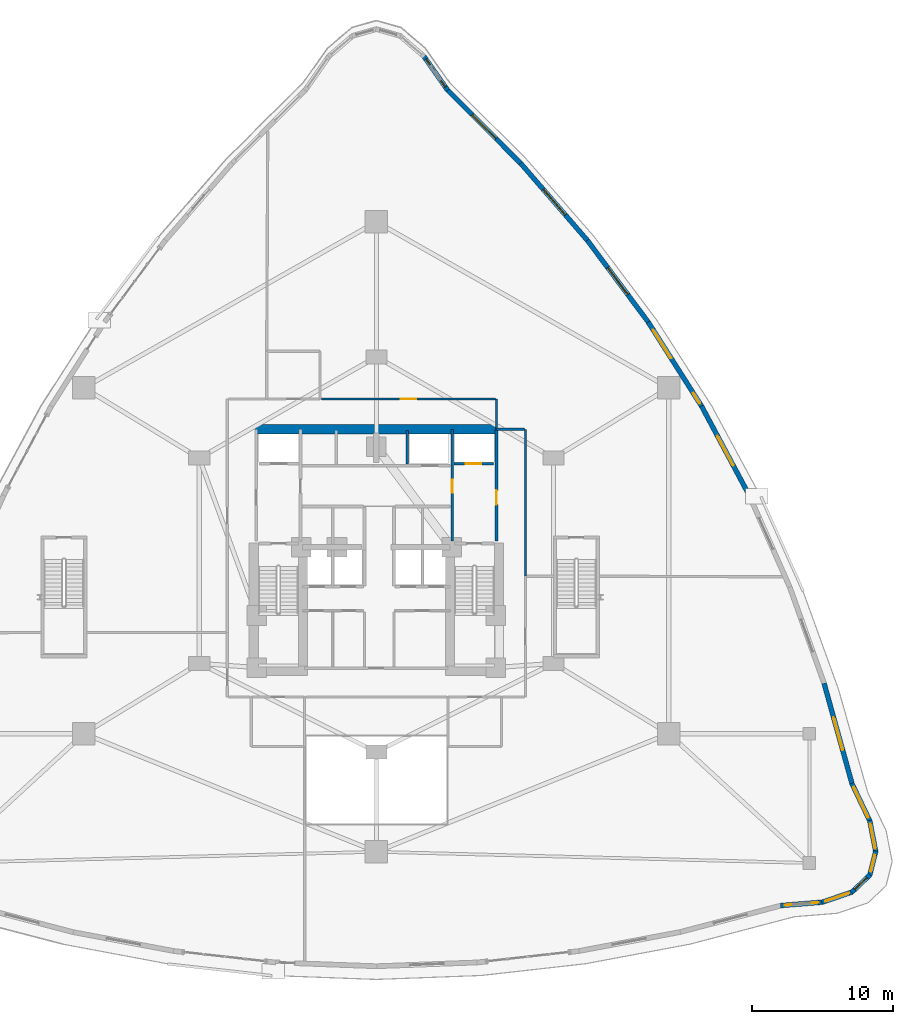
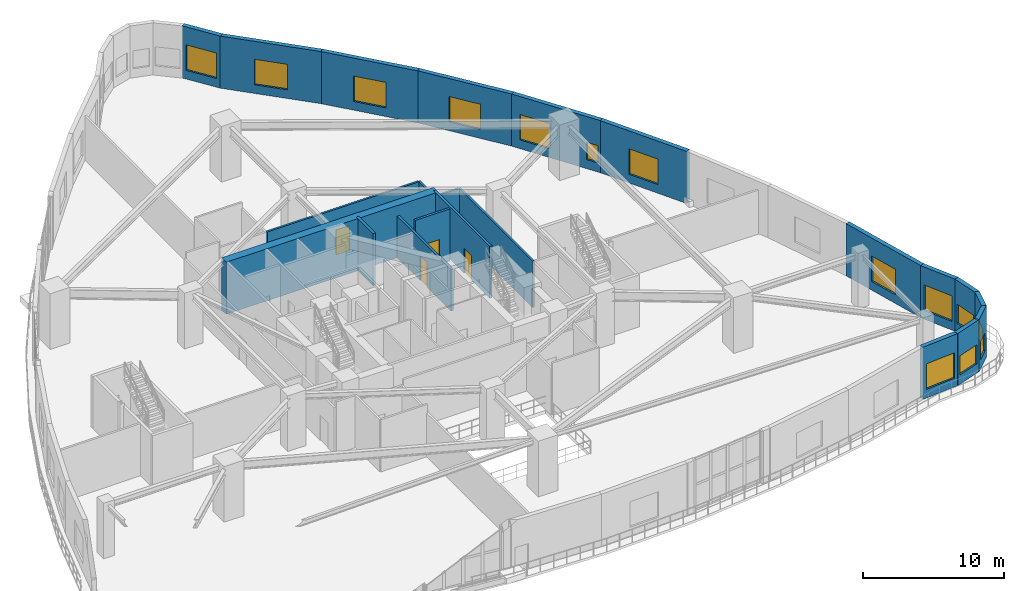
# One storey, part 18 of 25: 22 walls, 14 windows, 4 doors, 18 openings.
"""IFC4 building model written with IfcOpenShell, lengths in metres."""

from ifc_helpers import new_model, si_unit, direction, frame, frame_2d, origin, place, context, subcontext, project, spatial, rectangle, extrude, material, layer, layer_set, type_object, element, fill, save


model = new_model("IFC4")

# Units and contexts
model_context = context("Model", 3, precision=1e-05, world=origin(), true_north=direction((0.0, 1.0)))
body_context = subcontext(model_context, "Body", "Model", "MODEL_VIEW")
ifc_project = project(units=[si_unit("LENGTHUNIT", "METRE"), si_unit("AREAUNIT", "SQUARE_METRE"), si_unit("VOLUMEUNIT", "CUBIC_METRE"), si_unit("PLANEANGLEUNIT", "RADIAN"), si_unit("MASSUNIT", "GRAM", prefix="KILO")], contexts=[model_context])

# Site, building, storey
site_placement = place(None, origin())
site = spatial("IfcSite", under=ifc_project, at=site_placement, CompositionType="ELEMENT")
building_placement = place(site_placement, origin())
building = spatial("IfcBuilding", under=site, at=building_placement, Name="Miruveldt Soraemaru", CompositionType="ELEMENT")
storey_placement = place(building_placement, frame((0.0, 0.0, 4.800048828125)))
storey = spatial("IfcBuildingStorey", under=building, at=storey_placement, Name="L02", CompositionType="ELEMENT", Elevation=4.800048828125)

# Wall
ifc_material_1 = material(Name="Concrete C80/95 (80 MPa)", Category="concrete")
ifc_layer_1 = layer(ifc_material_1, 0.64990234375, Name="Concrete C80/95 (80 MPa)", Category="concrete")
ifc_layer_set_1 = layer_set([ifc_layer_1], Name="Concrete C80/95 (80 MPa)")
wall_type_1 = type_object("IfcWallType", Name="WALL-CW-650", PredefinedType="SHEAR", material=ifc_layer_set_1)
wall_1_placement = place(storey_placement, frame((35.35009765625, 52.449951171875, 0.0), z_axis=(0.0, 0.0, 1.0), x_axis=(1.0, 0.0, 0.0)))
element("IfcWall", 1, at=wall_1_placement, inside=storey, type_object=wall_type_1, Name="L02 Central Core Shear Wall N", PredefinedType="SHEAR", context=body_context, shape_type="SweptSolid", body=[
    extrude(rectangle(XDim=17.2998046875, YDim=0.64990234375, at=frame_2d((8.64990234375, 0.0))), origin(), (0.0, 0.0, 1.0), 4.5),
])

# Wall, opening, window
ifc_material_2 = material(Name="Precast concrete C45/55 (45 MPa)", Category="concrete")
ifc_layer_2 = layer(ifc_material_2, 0.340087890625, Name="Precast concrete C45/55 (45 MPa)", Category="concrete")
ifc_layer_set_2 = layer_set([ifc_layer_2], Name="Precast concrete C45/55 (45 MPa)")
wall_type_2 = type_object("IfcWallType", Name="WALL-EXT-PC340", PredefinedType="SOLIDWALL", material=ifc_layer_set_2)
wall_2_placement = place(storey_placement, frame((49.0751953125, 76.554443359375, 0.0), z_axis=(0.0, 0.0, 1.0), x_axis=(-0.573413332859, 0.819266226387, 0.0)))
wall_2 = element("IfcWall", 2, at=wall_2_placement, inside=storey, type_object=wall_type_2, Name="L02 Precast Concrete Facade Wall 1", PredefinedType="SOLIDWALL", context=body_context, shape_type="SweptSolid", body=[
    extrude(rectangle(XDim=3.0087890625, YDim=0.340087890625, at=frame_2d((1.50439453125, 0.0))), origin(), (0.0, 0.0, 1.0), 4.5),
])
opening_1_placement = place(wall_2_placement, frame((0.304931640625, 0.0, 0.75)))
opening_1 = element("IfcOpeningElement", 3, at=opening_1_placement, cuts=wall_2, Name="Opening WN-5", PredefinedType="OPENING", context=body_context, shape_type="SweptSolid", body=[
    extrude(rectangle(XDim=2.39990234375, YDim=2.199951171875, at=frame_2d((1.199951171875, 1.10009765625))), frame((0.0, 0.18017578125, 0.0), z_axis=(0.0, -1.0, 0.0), x_axis=(1.0, 0.0, 0.0)), (0.0, 0.0, 1.0), 0.360107421875),
])
ifc_material_3 = material(Name="Triple low-e insulated glazing", Category="glass")
window_type_1 = type_object("IfcWindowType", Name="WIN-PODM-2400x2200", PartitioningType="SINGLE_PANEL", PredefinedType="WINDOW", material=ifc_material_3)
window_1_placement = place(opening_1_placement, origin())
window_1 = element("IfcWindow", 4, at=window_1_placement, inside=storey, type_object=window_type_1, Name="L02 Punched Triple-Glazed Window 01.1", OverallHeight=2.199951171875, OverallWidth=2.39990234375, PartitioningType="SINGLE_PANEL", PredefinedType="WINDOW", context=body_context, shape_type="SweptSolid", body=[
    extrude(rectangle(XDim=2.39990234375, YDim=2.199951171875, at=frame_2d((1.199951171875, 1.10009765625))), frame((0.0, 0.030029296875, 0.0), z_axis=(0.0, -1.0, 0.0), x_axis=(1.0, 0.0, 0.0)), (0.0, 0.0, 1.0), 0.06005859375),
])
fill(opening_1, window_1)

wall_3_placement = place(storey_placement, frame((72.73974609375, 18.57177734375, 0.0), z_axis=(0.0, 0.0, 1.0), x_axis=(0.996686616646, 0.081337495648, 0.0)))
wall_3 = element("IfcWall", 5, at=wall_3_placement, inside=storey, type_object=wall_type_2, Name="L02 Precast Concrete Facade Wall 29", PredefinedType="SOLIDWALL", context=body_context, shape_type="SweptSolid", body=[
    extrude(rectangle(XDim=3.028564453125, YDim=0.340087890625, at=frame_2d((1.51416015625, 0.0))), origin(), (0.0, 0.0, 1.0), 4.5),
])
opening_2_placement = place(wall_3_placement, frame((0.31494140625, 0.0, 0.75)))
opening_2 = element("IfcOpeningElement", 6, at=opening_2_placement, cuts=wall_3, Name="Opening WN-5", PredefinedType="OPENING", context=body_context, shape_type="SweptSolid", body=[
    extrude(rectangle(XDim=2.39990234375, YDim=2.199951171875, at=frame_2d((1.199951171875, 1.10009765625))), frame((0.0, 0.18017578125, 0.0), z_axis=(0.0, -1.0, 0.0), x_axis=(1.0, 0.0, 0.0)), (0.0, 0.0, 1.0), 0.360107421875),
])
window_2_placement = place(opening_2_placement, origin())
window_2 = element("IfcWindow", 7, at=window_2_placement, inside=storey, type_object=window_type_1, Name="L02 Punched Triple-Glazed Window 29.1", OverallHeight=2.199951171875, OverallWidth=2.39990234375, PartitioningType="SINGLE_PANEL", PredefinedType="WINDOW", context=body_context, shape_type="SweptSolid", body=[
    extrude(rectangle(XDim=2.39990234375, YDim=2.199951171875, at=frame_2d((1.199951171875, 1.10009765625))), frame((0.0, 0.030029296875, 0.0), z_axis=(0.0, -1.0, 0.0), x_axis=(1.0, 0.0, 0.0)), (0.0, 0.0, 1.0), 0.06005859375),
])
fill(opening_2, window_2)

wall_4_placement = place(storey_placement, frame((75.690185546875, 18.803955078125, 0.0), z_axis=(0.0, 0.0, 1.0), x_axis=(0.945916126648, 0.324411284249, 0.0)))
wall_4 = element("IfcWall", 8, at=wall_4_placement, inside=storey, type_object=wall_type_2, Name="L02 Precast Concrete Facade Wall 30", PredefinedType="SOLIDWALL", context=body_context, shape_type="SweptSolid", body=[
    extrude(rectangle(XDim=2.296875, YDim=0.340087890625, at=frame_2d((1.1484375, 0.0))), origin(), (0.0, 0.0, 1.0), 4.5),
])
opening_3_placement = place(wall_4_placement, frame((0.2490234375, 0.0, 0.800048828125)))
opening_3 = element("IfcOpeningElement", 9, at=opening_3_placement, cuts=wall_4, Name="Opening WN-2", PredefinedType="OPENING", context=body_context, shape_type="SweptSolid", body=[
    extrude(rectangle(XDim=1.800048828125, YDim=1.64990234375, at=frame_2d((0.89990234375, 0.824951171875))), frame((0.0, 0.18017578125, 0.0), z_axis=(0.0, -1.0, 0.0), x_axis=(1.0, 0.0, 0.0)), (0.0, 0.0, 1.0), 0.360107421875),
])
window_type_2 = type_object("IfcWindowType", Name="WIN-PUNCH-1800x1650", PartitioningType="SINGLE_PANEL", PredefinedType="WINDOW", material=ifc_material_3)
window_3_placement = place(opening_3_placement, origin())
window_3 = element("IfcWindow", 10, at=window_3_placement, inside=storey, type_object=window_type_2, Name="L02 Punched Triple-Glazed Window 30.1", OverallHeight=1.64990234375, OverallWidth=1.800048828125, PartitioningType="SINGLE_PANEL", PredefinedType="WINDOW", context=body_context, shape_type="SweptSolid", body=[
    extrude(rectangle(XDim=1.800048828125, YDim=1.64990234375, at=frame_2d((0.89990234375, 0.824951171875))), frame((0.0, 0.030029296875, 0.0), z_axis=(0.0, -1.0, 0.0), x_axis=(1.0, 0.0, 0.0)), (0.0, 0.0, 1.0), 0.06005859375),
])
fill(opening_3, window_3)

wall_5_placement = place(storey_placement, frame((77.80419921875, 19.513427734375, 0.0), z_axis=(0.0, 0.0, 1.0), x_axis=(0.724045179036, 0.6897525489, 0.0)))
wall_5 = element("IfcWall", 11, at=wall_5_placement, inside=storey, type_object=wall_type_2, Name="L02 Precast Concrete Facade Wall 31", PredefinedType="SOLIDWALL", context=body_context, shape_type="SweptSolid", body=[
    extrude(rectangle(XDim=1.8154296875, YDim=0.340087890625, at=frame_2d((0.90771484375, 0.0))), origin(), (0.0, 0.0, 1.0), 4.5),
])
opening_4_placement = place(wall_5_placement, frame((0.306884765625, 0.0, 0.780029296875)))
opening_4 = element("IfcOpeningElement", 12, at=opening_4_placement, cuts=wall_5, Name="Opening WN-4", PredefinedType="OPENING", context=body_context, shape_type="SweptSolid", body=[
    extrude(rectangle(XDim=1.199951171875, YDim=1.550048828125, at=frame_2d((0.60009765625, 0.77490234375))), frame((0.0, 0.18017578125, 0.0), z_axis=(0.0, -1.0, 0.0), x_axis=(1.0, 0.0, 0.0)), (0.0, 0.0, 1.0), 0.360107421875),
])
window_type_3 = type_object("IfcWindowType", Name="WIN-PUNCH-1200x1550", PartitioningType="SINGLE_PANEL", PredefinedType="WINDOW", material=ifc_material_3)
window_4_placement = place(opening_4_placement, origin())
window_4 = element("IfcWindow", 13, at=window_4_placement, inside=storey, type_object=window_type_3, Name="L02 Punched Triple-Glazed Window 31.1", OverallHeight=1.550048828125, OverallWidth=1.199951171875, PartitioningType="SINGLE_PANEL", PredefinedType="WINDOW", context=body_context, shape_type="SweptSolid", body=[
    extrude(rectangle(XDim=1.199951171875, YDim=1.550048828125, at=frame_2d((0.60009765625, 0.77490234375))), frame((0.0, 0.030029296875, 0.0), z_axis=(0.0, -1.0, 0.0), x_axis=(1.0, 0.0, 0.0)), (0.0, 0.0, 1.0), 0.06005859375),
])
fill(opening_4, window_4)

wall_6_placement = place(storey_placement, frame((79.084716796875, 20.70751953125, 0.0), z_axis=(0.0, 0.0, 1.0), x_axis=(0.242472056551, 0.970158390054, 0.0)))
wall_6 = element("IfcWall", 14, at=wall_6_placement, inside=storey, type_object=wall_type_2, Name="L02 Precast Concrete Facade Wall 32", PredefinedType="SOLIDWALL", context=body_context, shape_type="SweptSolid", body=[
    extrude(rectangle(XDim=1.807373046875, YDim=0.340087890625, at=frame_2d((0.90380859375, 0.0))), origin(), (0.0, 0.0, 1.0), 4.5),
])
opening_5_placement = place(wall_6_placement, frame((0.302978515625, 0.0, 0.780029296875)))
opening_5 = element("IfcOpeningElement", 15, at=opening_5_placement, cuts=wall_6, Name="Opening WN-4", PredefinedType="OPENING", context=body_context, shape_type="SweptSolid", body=[
    extrude(rectangle(XDim=1.199951171875, YDim=1.550048828125, at=frame_2d((0.60009765625, 0.77490234375))), frame((0.0, 0.18017578125, 0.0), z_axis=(0.0, -1.0, 0.0), x_axis=(1.0, 0.0, 0.0)), (0.0, 0.0, 1.0), 0.360107421875),
])
window_5_placement = place(opening_5_placement, origin())
window_5 = element("IfcWindow", 16, at=window_5_placement, inside=storey, type_object=window_type_3, Name="L02 Punched Triple-Glazed Window 32.1", OverallHeight=1.550048828125, OverallWidth=1.199951171875, PartitioningType="SINGLE_PANEL", PredefinedType="WINDOW", context=body_context, shape_type="SweptSolid", body=[
    extrude(rectangle(XDim=1.199951171875, YDim=1.550048828125, at=frame_2d((0.60009765625, 0.77490234375))), frame((0.0, 0.030029296875, 0.0), z_axis=(0.0, -1.0, 0.0), x_axis=(1.0, 0.0, 0.0)), (0.0, 0.0, 1.0), 0.06005859375),
])
fill(opening_5, window_5)

wall_7_placement = place(storey_placement, frame((79.521240234375, 22.392578125, 0.0), z_axis=(0.0, 0.0, 1.0), x_axis=(-0.1907950651, 0.981629891117, 0.0)))
wall_7 = element("IfcWall", 17, at=wall_7_placement, inside=storey, type_object=wall_type_2, Name="L02 Precast Concrete Facade Wall 33", PredefinedType="SOLIDWALL", context=body_context, shape_type="SweptSolid", body=[
    extrude(rectangle(XDim=2.277587890625, YDim=0.340087890625, at=frame_2d((1.138671875, 0.0))), origin(), (0.0, 0.0, 1.0), 4.5),
])
opening_6_placement = place(wall_7_placement, frame((0.239013671875, 0.0, 0.800048828125)))
opening_6 = element("IfcOpeningElement", 18, at=opening_6_placement, cuts=wall_7, Name="Opening WN-2", PredefinedType="OPENING", context=body_context, shape_type="SweptSolid", body=[
    extrude(rectangle(XDim=1.800048828125, YDim=1.64990234375, at=frame_2d((0.89990234375, 0.824951171875))), frame((0.0, 0.18017578125, 0.0), z_axis=(0.0, -1.0, 0.0), x_axis=(1.0, 0.0, 0.0)), (0.0, 0.0, 1.0), 0.360107421875),
])
window_6_placement = place(opening_6_placement, origin())
window_6 = element("IfcWindow", 19, at=window_6_placement, inside=storey, type_object=window_type_2, Name="L02 Punched Triple-Glazed Window 33.1", OverallHeight=1.64990234375, OverallWidth=1.800048828125, PartitioningType="SINGLE_PANEL", PredefinedType="WINDOW", context=body_context, shape_type="SweptSolid", body=[
    extrude(rectangle(XDim=1.800048828125, YDim=1.64990234375, at=frame_2d((0.89990234375, 0.824951171875))), frame((0.0, 0.030029296875, 0.0), z_axis=(0.0, -1.0, 0.0), x_axis=(1.0, 0.0, 0.0)), (0.0, 0.0, 1.0), 0.06005859375),
])
fill(opening_6, window_6)

wall_8_placement = place(storey_placement, frame((79.1083984375, 24.562255859375, 0.0), z_axis=(0.0, 0.0, 1.0), x_axis=(-0.430658891488, 0.902514775049, 0.0)))
wall_8 = element("IfcWall", 20, at=wall_8_placement, inside=storey, type_object=wall_type_2, Name="L02 Precast Concrete Facade Wall 34", PredefinedType="SOLIDWALL", context=body_context, shape_type="SweptSolid", body=[
    extrude(rectangle(XDim=3.004638671875, YDim=0.340087890625, at=frame_2d((1.50244140625, 0.0))), origin(), (0.0, 0.0, 1.0), 4.5),
])
opening_7_placement = place(wall_8_placement, frame((0.302978515625, 0.0, 0.75)))
opening_7 = element("IfcOpeningElement", 21, at=opening_7_placement, cuts=wall_8, Name="Opening WN-5", PredefinedType="OPENING", context=body_context, shape_type="SweptSolid", body=[
    extrude(rectangle(XDim=2.39990234375, YDim=2.199951171875, at=frame_2d((1.199951171875, 1.10009765625))), frame((0.0, 0.18017578125, 0.0), z_axis=(0.0, -1.0, 0.0), x_axis=(1.0, 0.0, 0.0)), (0.0, 0.0, 1.0), 0.360107421875),
])
window_7_placement = place(opening_7_placement, origin())
window_7 = element("IfcWindow", 22, at=window_7_placement, inside=storey, type_object=window_type_1, Name="L02 Punched Triple-Glazed Window 34.1", OverallHeight=2.199951171875, OverallWidth=2.39990234375, PartitioningType="SINGLE_PANEL", PredefinedType="WINDOW", context=body_context, shape_type="SweptSolid", body=[
    extrude(rectangle(XDim=2.39990234375, YDim=2.199951171875, at=frame_2d((1.199951171875, 1.10009765625))), frame((0.0, 0.030029296875, 0.0), z_axis=(0.0, -1.0, 0.0), x_axis=(1.0, 0.0, 0.0)), (0.0, 0.0, 1.0), 0.06005859375),
])
fill(opening_7, window_7)

wall_9_placement = place(storey_placement, frame((77.839111328125, 27.208740234375, 0.0), z_axis=(0.0, 0.0, 1.0), x_axis=(-0.26796828645, 0.963427733386, 0.0)))
wall_9 = element("IfcWall", 23, at=wall_9_placement, inside=storey, type_object=wall_type_2, Name="L02 Precast Concrete Facade Wall 35", PredefinedType="SOLIDWALL", context=body_context, shape_type="SweptSolid", body=[
    extrude(rectangle(XDim=7.45166015625, YDim=0.340087890625, at=frame_2d((3.725830078125, 0.0))), origin(), (0.0, 0.0, 1.0), 4.5),
])
opening_8_placement = place(wall_9_placement, frame((2.52587890625, 0.0, 0.75)))
opening_8 = element("IfcOpeningElement", 24, at=opening_8_placement, cuts=wall_9, Name="Opening WN-5", PredefinedType="OPENING", context=body_context, shape_type="SweptSolid", body=[
    extrude(rectangle(XDim=2.39990234375, YDim=2.199951171875, at=frame_2d((1.199951171875, 1.10009765625))), frame((0.0, 0.18017578125, 0.0), z_axis=(0.0, -1.0, 0.0), x_axis=(1.0, 0.0, 0.0)), (0.0, 0.0, 1.0), 0.360107421875),
])
window_8_placement = place(opening_8_placement, origin())
window_8 = element("IfcWindow", 25, at=window_8_placement, inside=storey, type_object=window_type_1, Name="L02 Punched Triple-Glazed Window 35.1", OverallHeight=2.199951171875, OverallWidth=2.39990234375, PartitioningType="SINGLE_PANEL", PredefinedType="WINDOW", context=body_context, shape_type="SweptSolid", body=[
    extrude(rectangle(XDim=2.39990234375, YDim=2.199951171875, at=frame_2d((1.199951171875, 1.10009765625))), frame((0.0, 0.030029296875, 0.0), z_axis=(0.0, -1.0, 0.0), x_axis=(1.0, 0.0, 0.0)), (0.0, 0.0, 1.0), 0.06005859375),
])
fill(opening_8, window_8)

wall_10_placement = place(storey_placement, frame((70.52490234375, 47.737548828125, 0.0), z_axis=(0.0, 0.0, 1.0), x_axis=(-0.471064128859, 0.882098966388, 0.0)))
wall_10 = element("IfcWall", 26, at=wall_10_placement, inside=storey, type_object=wall_type_2, Name="L02 Precast Concrete Facade Wall 38", PredefinedType="SOLIDWALL", context=body_context, shape_type="SweptSolid", body=[
    extrude(rectangle(XDim=7.21484375, YDim=0.340087890625, at=frame_2d((3.607421875, 0.0))), origin(), (0.0, 0.0, 1.0), 4.5),
])
opening_9_placement = place(wall_10_placement, frame((2.406982421875, 0.0, 0.75)))
opening_9 = element("IfcOpeningElement", 27, at=opening_9_placement, cuts=wall_10, Name="Opening WN-5", PredefinedType="OPENING", context=body_context, shape_type="SweptSolid", body=[
    extrude(rectangle(XDim=2.39990234375, YDim=2.199951171875, at=frame_2d((1.199951171875, 1.10009765625))), frame((0.0, 0.18017578125, 0.0), z_axis=(0.0, -1.0, 0.0), x_axis=(1.0, 0.0, 0.0)), (0.0, 0.0, 1.0), 0.360107421875),
])
window_9_placement = place(opening_9_placement, origin())
window_9 = element("IfcWindow", 28, at=window_9_placement, inside=storey, type_object=window_type_1, Name="L02 Punched Triple-Glazed Window 38.1", OverallHeight=2.199951171875, OverallWidth=2.39990234375, PartitioningType="SINGLE_PANEL", PredefinedType="WINDOW", context=body_context, shape_type="SweptSolid", body=[
    extrude(rectangle(XDim=2.39990234375, YDim=2.199951171875, at=frame_2d((1.199951171875, 1.10009765625))), frame((0.0, 0.030029296875, 0.0), z_axis=(0.0, -1.0, 0.0), x_axis=(1.0, 0.0, 0.0)), (0.0, 0.0, 1.0), 0.06005859375),
])
fill(opening_9, window_9)

# Wall, openings, windows
wall_11_placement = place(storey_placement, frame((67.16162109375, 54.041259765625, 0.0), z_axis=(0.0, 0.0, 1.0), x_axis=(-0.535802171835, 0.844343551321, 0.0)))
wall_11 = element("IfcWall", 29, at=wall_11_placement, inside=storey, type_object=wall_type_2, Name="L02 Precast Concrete Facade Wall 39", PredefinedType="SOLIDWALL", context=body_context, shape_type="SweptSolid", body=[
    extrude(rectangle(XDim=7.21484375, YDim=0.340087890625, at=frame_2d((3.607421875, 0.0))), origin(), (0.0, 0.0, 1.0), 4.5),
])
opening_10_placement = place(wall_11_placement, frame((0.27099609375, 0.0, 0.780029296875)))
opening_10 = element("IfcOpeningElement", 30, at=opening_10_placement, cuts=wall_11, Name="Opening WN-7", PredefinedType="OPENING", context=body_context, shape_type="SweptSolid", body=[
    extrude(rectangle(XDim=0.89990234375, YDim=1.5, at=frame_2d((0.449951171875, 0.75))), frame((0.0, 0.18017578125, 0.0), z_axis=(0.0, -1.0, 0.0), x_axis=(1.0, 0.0, 0.0)), (0.0, 0.0, 1.0), 0.360107421875),
])
opening_11_placement = place(wall_11_placement, frame((4.09912109375, 0.0, 0.75)))
opening_11 = element("IfcOpeningElement", 31, at=opening_11_placement, cuts=wall_11, Name="Opening WN-5", PredefinedType="OPENING", context=body_context, shape_type="SweptSolid", body=[
    extrude(rectangle(XDim=2.39990234375, YDim=2.199951171875, at=frame_2d((1.199951171875, 1.10009765625))), frame((0.0, 0.18017578125, 0.0), z_axis=(0.0, -1.0, 0.0), x_axis=(1.0, 0.0, 0.0)), (0.0, 0.0, 1.0), 0.360107421875),
])
window_10_placement = place(opening_11_placement, origin())
window_10 = element("IfcWindow", 32, at=window_10_placement, inside=storey, type_object=window_type_1, Name="L02 Punched Triple-Glazed Window 39.2", OverallHeight=2.199951171875, OverallWidth=2.39990234375, PartitioningType="SINGLE_PANEL", PredefinedType="WINDOW", context=body_context, shape_type="SweptSolid", body=[
    extrude(rectangle(XDim=2.39990234375, YDim=2.199951171875, at=frame_2d((1.199951171875, 1.10009765625))), frame((0.0, 0.030029296875, 0.0), z_axis=(0.0, -1.0, 0.0), x_axis=(1.0, 0.0, 0.0)), (0.0, 0.0, 1.0), 0.06005859375),
])
fill(opening_11, window_10)
window_type_4 = type_object("IfcWindowType", Name="WIN-PUNCH-900x1500", PartitioningType="SINGLE_PANEL", PredefinedType="WINDOW", material=ifc_material_3)
window_11_placement = place(opening_10_placement, origin())
window_11 = element("IfcWindow", 33, at=window_11_placement, inside=storey, type_object=window_type_4, Name="L02 Punched Triple-Glazed Window 39.1", OverallHeight=1.5, OverallWidth=0.89990234375, PartitioningType="SINGLE_PANEL", PredefinedType="WINDOW", context=body_context, shape_type="SweptSolid", body=[
    extrude(rectangle(XDim=0.89990234375, YDim=1.5, at=frame_2d((0.449951171875, 0.75))), frame((0.0, 0.030029296875, 0.0), z_axis=(0.0, -1.0, 0.0), x_axis=(1.0, 0.0, 0.0)), (0.0, 0.0, 1.0), 0.06005859375),
])
fill(opening_10, window_11)

# Wall, opening, window
wall_12_placement = place(storey_placement, frame((63.335693359375, 60.075439453125, 0.0), z_axis=(0.0, 0.0, 1.0), x_axis=(-0.597191067922, 0.802099014084, 0.0)))
wall_12 = element("IfcWall", 34, at=wall_12_placement, inside=storey, type_object=wall_type_2, Name="L02 Precast Concrete Facade Wall 40", PredefinedType="SOLIDWALL", context=body_context, shape_type="SweptSolid", body=[
    extrude(rectangle(XDim=7.2548828125, YDim=0.340087890625, at=frame_2d((3.62744140625, 0.0))), origin(), (0.0, 0.0, 1.0), 4.5),
])
opening_12_placement = place(wall_12_placement, frame((2.427978515625, 0.0, 0.75)))
opening_12 = element("IfcOpeningElement", 35, at=opening_12_placement, cuts=wall_12, Name="Opening WN-5", PredefinedType="OPENING", context=body_context, shape_type="SweptSolid", body=[
    extrude(rectangle(XDim=2.39990234375, YDim=2.199951171875, at=frame_2d((1.199951171875, 1.10009765625))), frame((0.0, 0.18017578125, 0.0), z_axis=(0.0, -1.0, 0.0), x_axis=(1.0, 0.0, 0.0)), (0.0, 0.0, 1.0), 0.360107421875),
])
window_12_placement = place(opening_12_placement, origin())
window_12 = element("IfcWindow", 36, at=window_12_placement, inside=storey, type_object=window_type_1, Name="L02 Punched Triple-Glazed Window 40.1", OverallHeight=2.199951171875, OverallWidth=2.39990234375, PartitioningType="SINGLE_PANEL", PredefinedType="WINDOW", context=body_context, shape_type="SweptSolid", body=[
    extrude(rectangle(XDim=2.39990234375, YDim=2.199951171875, at=frame_2d((1.199951171875, 1.10009765625))), frame((0.0, 0.030029296875, 0.0), z_axis=(0.0, -1.0, 0.0), x_axis=(1.0, 0.0, 0.0)), (0.0, 0.0, 1.0), 0.06005859375),
])
fill(opening_12, window_12)

wall_13_placement = place(storey_placement, frame((59.046875, 65.840087890625, 0.0), z_axis=(0.0, 0.0, 1.0), x_axis=(-0.654356245841, 0.756186421148, 0.0)))
wall_13 = element("IfcWall", 37, at=wall_13_placement, inside=storey, type_object=wall_type_2, Name="L02 Precast Concrete Facade Wall 41", PredefinedType="SOLIDWALL", context=body_context, shape_type="SweptSolid", body=[
    extrude(rectangle(XDim=7.333984375, YDim=0.340087890625, at=frame_2d((3.6669921875, 0.0))), origin(), (0.0, 0.0, 1.0), 4.5),
])
opening_13_placement = place(wall_13_placement, frame((2.467041015625, 0.0, 0.75)))
opening_13 = element("IfcOpeningElement", 38, at=opening_13_placement, cuts=wall_13, Name="Opening WN-5", PredefinedType="OPENING", context=body_context, shape_type="SweptSolid", body=[
    extrude(rectangle(XDim=2.39990234375, YDim=2.199951171875, at=frame_2d((1.199951171875, 1.10009765625))), frame((0.0, 0.18017578125, 0.0), z_axis=(0.0, -1.0, 0.0), x_axis=(1.0, 0.0, 0.0)), (0.0, 0.0, 1.0), 0.360107421875),
])
window_13_placement = place(opening_13_placement, origin())
window_13 = element("IfcWindow", 39, at=window_13_placement, inside=storey, type_object=window_type_1, Name="L02 Punched Triple-Glazed Window 41.1", OverallHeight=2.199951171875, OverallWidth=2.39990234375, PartitioningType="SINGLE_PANEL", PredefinedType="WINDOW", context=body_context, shape_type="SweptSolid", body=[
    extrude(rectangle(XDim=2.39990234375, YDim=2.199951171875, at=frame_2d((1.199951171875, 1.10009765625))), frame((0.0, 0.030029296875, 0.0), z_axis=(0.0, -1.0, 0.0), x_axis=(1.0, 0.0, 0.0)), (0.0, 0.0, 1.0), 0.06005859375),
])
fill(opening_13, window_13)

wall_14_placement = place(storey_placement, frame((54.29541015625, 71.334716796875, 0.0), z_axis=(0.0, 0.0, 1.0), x_axis=(-0.706565985712, 0.707647163377, 0.0)))
wall_14 = element("IfcWall", 40, at=wall_14_placement, inside=storey, type_object=wall_type_2, Name="L02 Precast Concrete Facade Wall 42", PredefinedType="SOLIDWALL", context=body_context, shape_type="SweptSolid", body=[
    extrude(rectangle(XDim=7.45166015625, YDim=0.340087890625, at=frame_2d((3.725830078125, 0.0))), origin(), (0.0, 0.0, 1.0), 4.5),
])
opening_14_placement = place(wall_14_placement, frame((2.52587890625, 0.0, 0.75)))
opening_14 = element("IfcOpeningElement", 41, at=opening_14_placement, cuts=wall_14, Name="Opening WN-5", PredefinedType="OPENING", context=body_context, shape_type="SweptSolid", body=[
    extrude(rectangle(XDim=2.39990234375, YDim=2.199951171875, at=frame_2d((1.199951171875, 1.10009765625))), frame((0.0, 0.18017578125, 0.0), z_axis=(0.0, -1.0, 0.0), x_axis=(1.0, 0.0, 0.0)), (0.0, 0.0, 1.0), 0.360107421875),
])
window_14_placement = place(opening_14_placement, origin())
window_14 = element("IfcWindow", 42, at=window_14_placement, inside=storey, type_object=window_type_1, Name="L02 Punched Triple-Glazed Window 42.1", OverallHeight=2.199951171875, OverallWidth=2.39990234375, PartitioningType="SINGLE_PANEL", PredefinedType="WINDOW", context=body_context, shape_type="SweptSolid", body=[
    extrude(rectangle(XDim=2.39990234375, YDim=2.199951171875, at=frame_2d((1.199951171875, 1.10009765625))), frame((0.0, 0.030029296875, 0.0), z_axis=(0.0, -1.0, 0.0), x_axis=(1.0, 0.0, 0.0)), (0.0, 0.0, 1.0), 0.06005859375),
])
fill(opening_14, window_14)

# Wall, opening, door
ifc_material_4 = material(Name="Concrete C40/50 (40 MPa)", Category="concrete")
ifc_layer_3 = layer(ifc_material_4, 0.159912109375, Name="Concrete C40/50 (40 MPa)", Category="concrete")
ifc_layer_set_3 = layer_set([ifc_layer_3], Name="Concrete C40/50 (40 MPa)")
wall_type_3 = type_object("IfcWallType", Name="WALL-INT-RC160", PredefinedType="SOLIDWALL", material=ifc_layer_set_3)
wall_15_placement = place(storey_placement, frame((52.469970703125, 54.60009765625, 0.0), z_axis=(0.0, 0.0, 1.0), x_axis=(-1.0, 0.0, 0.0)))
wall_15 = element("IfcWall", 43, at=wall_15_placement, inside=storey, type_object=wall_type_3, Name="L02 Partition Wall 14", PredefinedType="SOLIDWALL", context=body_context, shape_type="SweptSolid", body=[
    extrude(rectangle(XDim=12.389892578125, YDim=0.159912109375, at=frame_2d((6.19482421875, 0.0))), origin(), (0.0, 0.0, 1.0), 4.0),
])
opening_15_placement = place(wall_15_placement, frame((5.64501953125, 0.0, 0.0)))
opening_15 = element("IfcOpeningElement", 44, at=opening_15_placement, cuts=wall_15, Name="Opening FD1A", PredefinedType="OPENING", context=body_context, shape_type="SweptSolid", body=[
    extrude(rectangle(XDim=1.10009765625, YDim=2.14990234375, at=frame_2d((0.550048828125, 1.074951171875))), frame((0.0, 0.08984375, 0.0), z_axis=(0.0, -1.0, 0.0), x_axis=(1.0, 0.0, 0.0)), (0.0, 0.0, 1.0), 0.179931640625),
])
ifc_material_5 = material(Name="Anodised aluminium EN AW-6063 T6", Category="aluminium")
door_type_1 = type_object("IfcDoorType", Name="DOOR-FD1-1100", OperationType="NOTDEFINED", PredefinedType="DOOR", material=ifc_material_5)
door_1_placement = place(opening_15_placement, origin())
door_1 = element("IfcDoor", 45, at=door_1_placement, inside=storey, type_object=door_type_1, Name="L02 Neighborhood Clinic and Pharmacy Entrance Door", OperationType="SINGLE_SWING_RIGHT", OverallHeight=2.14990234375, OverallWidth=1.10009765625, PredefinedType="DOOR", context=body_context, shape_type="SweptSolid", body=[
    extrude(rectangle(XDim=1.10009765625, YDim=2.14990234375, at=frame_2d((0.550048828125, 1.074951171875))), frame((0.0, 0.02490234375, 0.0), z_axis=(0.0, -1.0, 0.0), x_axis=(1.0, 0.0, 0.0)), (0.0, 0.0, 1.0), 0.050048828125),
])
fill(opening_15, door_1)

# Walls
wall_16_placement = place(storey_placement, frame((54.60009765625, 42.0, 0.0), z_axis=(0.0, 0.0, 1.0), x_axis=(0.0, 1.0, 0.0)))
element("IfcWall", 46, at=wall_16_placement, inside=storey, type_object=wall_type_3, Name="L02 Partition Wall 11", PredefinedType="SOLIDWALL", context=body_context, shape_type="SweptSolid", body=[
    extrude(rectangle(XDim=10.449951171875, YDim=0.159912109375, at=frame_2d((5.22509765625, 0.0))), origin(), (0.0, 0.0, 1.0), 4.0),
])
wall_17_placement = place(storey_placement, frame((52.550048828125, 52.449951171875, 0.0), z_axis=(0.0, 0.0, 1.0), x_axis=(0.0, 1.0, 0.0)))
element("IfcWall", 47, at=wall_17_placement, inside=storey, type_object=wall_type_3, Name="L02 Partition Wall 13", PredefinedType="SOLIDWALL", context=body_context, shape_type="SweptSolid", body=[
    extrude(rectangle(XDim=2.150146484375, YDim=0.159912109375, at=frame_2d((1.0751953125, 0.0))), origin(), (0.0, 0.0, 1.0), 4.0),
])
wall_18_placement = place(storey_placement, frame((54.52001953125, 52.449951171875, 0.0), z_axis=(0.0, 0.0, 1.0), x_axis=(-1.0, 0.0, 0.0)))
element("IfcWall", 48, at=wall_18_placement, inside=storey, type_object=wall_type_3, Name="L02 Partition Wall 12", PredefinedType="SOLIDWALL", context=body_context, shape_type="SweptSolid", body=[
    extrude(rectangle(XDim=1.969970703125, YDim=0.159912109375, at=frame_2d((0.98486328125, 0.0))), origin(), (0.0, 0.0, 1.0), 4.0),
])

# Wall, opening, door
ifc_layer_4 = layer(ifc_material_4, 0.199951171875, Name="Concrete C40/50 (40 MPa)", Category="concrete")
ifc_layer_set_4 = layer_set([ifc_layer_4], Name="Concrete C40/50 (40 MPa)")
wall_type_4 = type_object("IfcWallType", Name="WALL-INT-RC200", PredefinedType="SOLIDWALL", material=ifc_layer_set_4)
wall_19_placement = place(storey_placement, frame((52.550048828125, 44.5, 0.0), z_axis=(0.0, 0.0, 1.0), x_axis=(0.0, 1.0, 0.0)))
wall_19 = element("IfcWall", 49, at=wall_19_placement, inside=storey, type_object=wall_type_4, Name="L02 Core Compartment Wall FFE-OUT", PredefinedType="SOLIDWALL", context=body_context, shape_type="SweptSolid", body=[
    extrude(rectangle(XDim=7.919921875, YDim=0.199951171875, at=frame_2d((3.9599609375, 0.0))), origin(), (0.0, 0.0, 1.0), 4.5),
])
opening_16_placement = place(wall_19_placement, frame((2.60009765625, 0.0, 0.0)))
opening_16 = element("IfcOpeningElement", 50, at=opening_16_placement, cuts=wall_19, Name="Opening FD1", PredefinedType="OPENING", context=body_context, shape_type="SweptSolid", body=[
    extrude(rectangle(XDim=1.0, YDim=2.14990234375, at=frame_2d((0.5, 1.074951171875))), frame((0.0, 0.10986328125, 0.0), z_axis=(0.0, -1.0, 0.0), x_axis=(1.0, 0.0, 0.0)), (0.0, 0.0, 1.0), 0.219970703125),
])
door_type_2 = type_object("IfcDoorType", Name="DOOR-FD1-1000", OperationType="NOTDEFINED", PredefinedType="DOOR", material=ifc_material_5)
door_2_placement = place(opening_16_placement, frame((1.0, 0.0, 0.0), z_axis=(0.0, 0.0, 1.0), x_axis=(-1.0, 0.0, 0.0)))
door_2 = element("IfcDoor", 51, at=door_2_placement, inside=storey, type_object=door_type_2, Name="L02 East Firefighting Lobby Exit Door", OperationType="SINGLE_SWING_RIGHT", OverallHeight=2.14990234375, OverallWidth=1.0, PredefinedType="DOOR", context=body_context, shape_type="SweptSolid", body=[
    extrude(rectangle(XDim=1.0, YDim=2.14990234375, at=frame_2d((0.5, 1.074951171875))), frame((0.0, 0.02490234375, 0.0), z_axis=(0.0, -1.0, 0.0), x_axis=(1.0, 0.0, 0.0)), (0.0, 0.0, 1.0), 0.050048828125),
])
fill(opening_16, door_2)

wall_20_placement = place(storey_placement, frame((49.39990234375, 44.5, 0.0), z_axis=(0.0, 0.0, 1.0), x_axis=(0.0, 1.0, 0.0)))
wall_20 = element("IfcWall", 52, at=wall_20_placement, inside=storey, type_object=wall_type_4, Name="L02 Core Compartment Wall FFE-IN", PredefinedType="SOLIDWALL", context=body_context, shape_type="SweptSolid", body=[
    extrude(rectangle(XDim=7.919921875, YDim=0.199951171875, at=frame_2d((3.9599609375, 0.0))), origin(), (0.0, 0.0, 1.0), 3.587890625),
])
opening_17_placement = place(wall_20_placement, frame((3.425048828125, 0.0, 0.0)))
opening_17 = element("IfcOpeningElement", 53, at=opening_17_placement, cuts=wall_20, Name="Opening FD2", PredefinedType="OPENING", context=body_context, shape_type="SweptSolid", body=[
    extrude(rectangle(XDim=0.949951171875, YDim=2.14990234375, at=frame_2d((0.47509765625, 1.074951171875))), frame((0.0, 0.10986328125, 0.0), z_axis=(0.0, -1.0, 0.0), x_axis=(1.0, 0.0, 0.0)), (0.0, 0.0, 1.0), 0.219970703125),
])
door_type_3 = type_object("IfcDoorType", Name="DOOR-FD2-950", OperationType="NOTDEFINED", PredefinedType="DOOR", material=ifc_material_5)
door_3_placement = place(opening_17_placement, origin())
door_3 = element("IfcDoor", 54, at=door_3_placement, inside=storey, type_object=door_type_3, Name="L02 Lift Lobby to East Fire Lobby Door", OperationType="SINGLE_SWING_LEFT", OverallHeight=2.14990234375, OverallWidth=0.949951171875, PredefinedType="DOOR", context=body_context, shape_type="SweptSolid", body=[
    extrude(rectangle(XDim=0.949951171875, YDim=2.14990234375, at=frame_2d((0.47509765625, 1.074951171875))), frame((0.0, 0.02490234375, 0.0), z_axis=(0.0, -1.0, 0.0), x_axis=(1.0, 0.0, 0.0)), (0.0, 0.0, 1.0), 0.050048828125),
])
fill(opening_17, door_3)

wall_21_placement = place(storey_placement, frame((49.52001953125, 50.0, 0.0), z_axis=(0.0, 0.0, 1.0), x_axis=(1.0, 0.0, 0.0)))
wall_21 = element("IfcWall", 55, at=wall_21_placement, inside=storey, type_object=wall_type_4, Name="L02 Core Compartment Wall FFL2-S", PredefinedType="SOLIDWALL", context=body_context, shape_type="SweptSolid", body=[
    extrude(rectangle(XDim=2.800048828125, YDim=0.199951171875, at=frame_2d((1.39990234375, 0.0))), origin(), (0.0, 0.0, 1.0), 4.5),
])
opening_18_placement = place(wall_21_placement, frame((0.85009765625, 0.0, 0.0)))
opening_18 = element("IfcOpeningElement", 56, at=opening_18_placement, cuts=wall_21, Name="Opening LD2", PredefinedType="OPENING", context=body_context, shape_type="SweptSolid", body=[
    extrude(rectangle(XDim=1.10009765625, YDim=2.14990234375, at=frame_2d((0.550048828125, 1.074951171875))), frame((0.0, 0.10986328125, 0.0), z_axis=(0.0, -1.0, 0.0), x_axis=(1.0, 0.0, 0.0)), (0.0, 0.0, 1.0), 0.219970703125),
])
door_type_4 = type_object("IfcDoorType", Name="DOOR-LD2-1100", OperationType="SLIDING_TO_LEFT", PredefinedType="DOOR", material=ifc_material_5)
door_4_placement = place(opening_18_placement, origin())
door_4 = element("IfcDoor", 57, at=door_4_placement, inside=storey, type_object=door_type_4, Name="L02 FFL-2 Landing Door", OperationType="SLIDING_TO_LEFT", OverallHeight=2.14990234375, OverallWidth=1.10009765625, PredefinedType="DOOR", context=body_context, shape_type="SweptSolid", body=[
    extrude(rectangle(XDim=1.10009765625, YDim=2.14990234375, at=frame_2d((0.550048828125, 1.074951171875))), frame((0.0, 0.02490234375, 0.0), z_axis=(0.0, -1.0, 0.0), x_axis=(1.0, 0.0, 0.0)), (0.0, 0.0, 1.0), 0.050048828125),
])
fill(opening_18, door_4)

# Wall
wall_22_placement = place(storey_placement, frame((46.199951171875, 49.97998046875, 0.0), z_axis=(0.0, 0.0, 1.0), x_axis=(0.0, 1.0, 0.0)))
element("IfcWall", 58, at=wall_22_placement, inside=storey, type_object=wall_type_4, Name="L02 Core Compartment Wall PLH-SL-DIV", PredefinedType="SOLIDWALL", context=body_context, shape_type="SweptSolid", body=[
    extrude(rectangle(XDim=2.3701171875, YDim=0.199951171875, at=frame_2d((1.18505859375, 0.0))), origin(), (0.0, 0.0, 1.0), 4.5),
])

save(model, "model.ifc")
